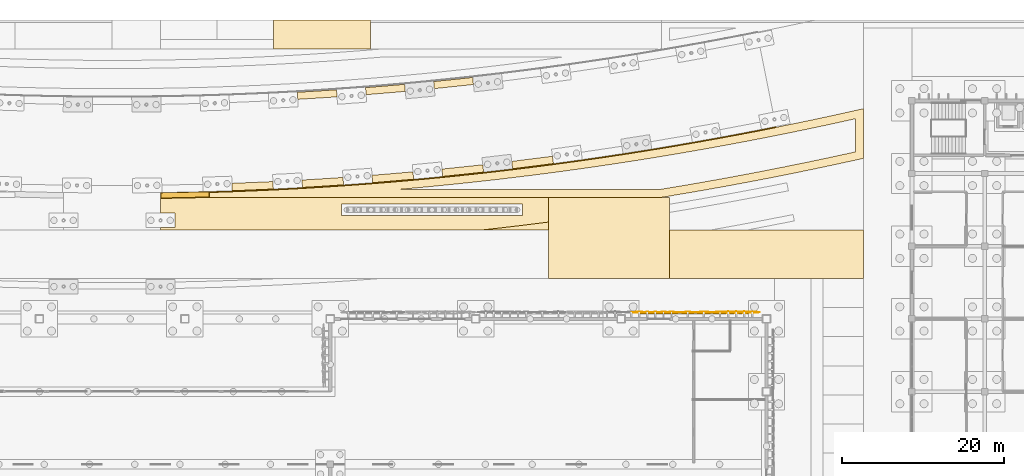
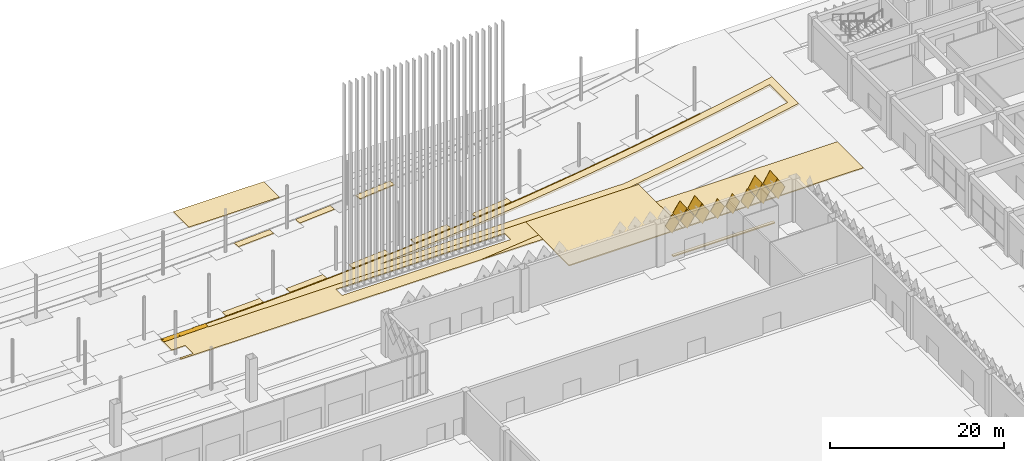
# One storey, part 175 of 198: 28 coverings.
"""IFC4 building model written with IfcOpenShell, lengths in metres."""

from ifc_helpers import new_model, si_unit, direction, frame, origin, place, context, subcontext, project, spatial, polyline, outline, extrude, material, layer, layer_set, material_profile, profile_set, type_object, element, save


model = new_model("IFC4")

# Units and contexts
model_context = context("Model", 3, precision=1e-05, world=origin(), true_north=direction((0.0, 1.0)))
body_context = subcontext(model_context, "Body", "Model", "MODEL_VIEW")
ifc_project = project(units=[si_unit("LENGTHUNIT", "METRE"), si_unit("AREAUNIT", "SQUARE_METRE"), si_unit("VOLUMEUNIT", "CUBIC_METRE"), si_unit("PLANEANGLEUNIT", "RADIAN"), si_unit("MASSUNIT", "GRAM", prefix="KILO")], contexts=[model_context])

# Site, building, storey
site_placement = place(None, origin())
site = spatial("IfcSite", under=ifc_project, at=site_placement, CompositionType="ELEMENT")
building_placement = place(site_placement, origin())
building = spatial("IfcBuilding", under=site, at=building_placement, Name="Opaline Strait Convention Centre", CompositionType="ELEMENT")
storey_placement = place(building_placement, origin())
storey = spatial("IfcBuildingStorey", under=building, at=storey_placement, Name="L00", CompositionType="ELEMENT", Elevation=0.0)

# Coverings
ifc_material_1 = material(Name="Asphalt road surfacing")
ifc_layer_1 = layer(ifc_material_1, 0.14990234375)
ifc_layer_set_1 = layer_set([ifc_layer_1], Name="Asphalt road surfacing")
covering_type_1 = type_object("IfcCoveringType", Name="Asphalt road surfacing 150", PredefinedType="FLOORING", material=ifc_layer_set_1)
covering_1_placement = place(storey_placement, frame((0.0, 0.0, -0.14990234375)))
element("IfcCovering", 1, at=covering_1_placement, inside=storey, type_object=covering_type_1, Name="Drop-off Lane East surfacing", PredefinedType="FLOORING", context=body_context, shape_type="SweptSolid", body=[
    extrude(outline(polyline([(200.0, 190.0), (200.0, 186.39990234375), (212.0, 186.39990234375), (212.0, 190.0), (200.0, 190.0)])), origin(), (0.0, 0.0, 1.0), 0.14990234375),
])
ifc_material_2 = material(Name="White ceramic-faced aluminium tile", Category="aluminium")
ifc_material_profile_1 = material_profile(ifc_material_2, outline(polyline([(0.927978515625, 0.0), (0.0, 1.39208984375), (-0.927978515625, 0.0), (0.0, -1.39208984375), (0.927978515625, 0.0)])), Name="Diamond tile 1856x2784")
ifc_profile_set_1 = profile_set([ifc_material_profile_1], Name="White ceramic-faced aluminium tile")
covering_type_2 = type_object("IfcCoveringType", Name="Diamond wall tile 1856x2784x30 pivot 1.5 deg", PredefinedType="CLADDING", material=ifc_profile_set_1)
for number, where, z_axis, x_axis, name in (
    (2, (251.25, 153.800048828125, 4.39208984375), (0.0, 0.999471633277, -0.032503142546), (-1.0, 0.0, 0.0), "Wall tile XT03 N"),
    (3, (249.25, 153.800048828125, 4.39208984375), (0.0, 0.999471633277, -0.032503142546), (-1.0, 0.0, 0.0), "Wall tile XT03 N"),
    (4, (247.25, 153.800048828125, 4.39208984375), (0.0, 0.999702690643, 0.024382992455), (-1.0, 0.0, 0.0), "Wall tile XT03 N"),
    (5, (248.25, 153.800048828125, 5.89208984375), (0.0, 0.999471633277, -0.032503142546), (-1.0, 0.0, 0.0), "Wall tile XT03 N"),
    (6, (246.25, 153.800048828125, 5.89208984375), (0.0, 0.999702690643, 0.024382992455), (-1.0, 0.0, 0.0), "Wall tile XT03 N"),
):
    element("IfcCovering", number, at=place(storey_placement, frame(where, z_axis=z_axis, x_axis=x_axis)), inside=storey, type_object=covering_type_2, Name=name, PredefinedType="CLADDING", context=body_context, shape_type="SweptSolid", body=[
        extrude(outline(polyline([(0.927978515625, 0.0), (0.0, 1.39208984375), (-0.927978515625, 0.0), (0.0, -1.39208984375), (0.927978515625, 0.0)])), origin(), (0.0, 0.0, 1.0), 0.030029296875),
    ])
ifc_material_profile_2 = material_profile(ifc_material_2, outline(polyline([(0.927978515625, 0.0), (0.0, 1.39208984375), (-0.927978515625, 0.0), (0.0, -1.39208984375), (0.927978515625, 0.0)])), Name="Diamond tile 1856x2784")
ifc_profile_set_2 = profile_set([ifc_material_profile_2], Name="White ceramic-faced aluminium tile")
covering_type_3 = type_object("IfcCoveringType", Name="Diamond wall tile 1856x2784x30 pivot 2.5 deg", PredefinedType="CLADDING", material=ifc_profile_set_2)
covering_2_placement = place(storey_placement, frame((245.25, 153.800048828125, 4.39208984375), z_axis=(0.0, 0.999174794796, 0.040616861577), x_axis=(-1.0, 0.0, 0.0)))
element("IfcCovering", 7, at=covering_2_placement, inside=storey, type_object=covering_type_3, Name="Wall tile XT05 N", PredefinedType="CLADDING", context=body_context, shape_type="SweptSolid", body=[
    extrude(outline(polyline([(0.927978515625, 0.0), (0.0, 1.39208984375), (-0.927978515625, 0.0), (0.0, -1.39208984375), (0.927978515625, 0.0)])), origin(), (0.0, 0.0, 1.0), 0.030029296875),
])
ifc_material_profile_3 = material_profile(ifc_material_2, outline(polyline([(0.927978515625, 0.0), (0.0, 1.39208984375), (-0.927978515625, 0.0), (0.0, -1.39208984375), (0.927978515625, 0.0)])), Name="Diamond tile 1856x2784")
ifc_profile_set_3 = profile_set([ifc_material_profile_3], Name="White ceramic-faced aluminium tile")
covering_type_4 = type_object("IfcCoveringType", Name="Diamond wall tile 1856x2784x30 pivot 3 deg", PredefinedType="CLADDING", material=ifc_profile_set_3)
for number, where, z_axis, x_axis, name in (
    (8, (259.25, 153.800048828125, 4.39208984375), (0.0, 0.998384516691, -0.056818631031), (-1.0, 0.0, 0.0), "Wall tile XT06 N"),
    (9, (255.25, 153.800048828125, 4.39208984375), (0.0, 0.998384516691, -0.056818631031), (-1.0, 0.0, 0.0), "Wall tile XT06 N"),
    (10, (253.25, 153.800048828125, 4.39208984375), (0.0, 0.998384516691, -0.056818631031), (-1.0, 0.0, 0.0), "Wall tile XT06 N"),
):
    element("IfcCovering", number, at=place(storey_placement, frame(where, z_axis=z_axis, x_axis=x_axis)), inside=storey, type_object=covering_type_4, Name=name, PredefinedType="CLADDING", context=body_context, shape_type="SweptSolid", body=[
        extrude(outline(polyline([(0.927978515625, 0.0), (0.0, 1.39208984375), (-0.927978515625, 0.0), (0.0, -1.39208984375), (0.927978515625, 0.0)])), origin(), (0.0, 0.0, 1.0), 0.030029296875),
    ])
ifc_material_profile_4 = material_profile(ifc_material_2, outline(polyline([(0.927978515625, 0.0), (0.0, 1.39208984375), (-0.927978515625, 0.0), (0.0, -1.39208984375), (0.927978515625, 0.0)])), Name="Diamond tile 1856x2784")
ifc_profile_set_4 = profile_set([ifc_material_profile_4], Name="White ceramic-faced aluminium tile")
covering_type_5 = type_object("IfcCoveringType", Name="Diamond wall tile 1856x2784x30 pivot 3.5 deg", PredefinedType="CLADDING", material=ifc_profile_set_4)
for number, where, z_axis, x_axis, name in (
    (11, (257.25, 153.800048828125, 4.39208984375), (0.0, 0.99785694905, -0.065433242561), (-1.0, 0.0, 0.0), "Wall tile XT07 N"),
    (12, (258.25, 153.800048828125, 5.89208984375), (0.0, 0.99785694905, -0.065433242561), (-1.0, 0.0, 0.0), "Wall tile XT07 N"),
    (13, (256.25, 153.800048828125, 5.89208984375), (0.0, 0.99785694905, -0.065433242561), (-1.0, 0.0, 0.0), "Wall tile XT07 N"),
):
    element("IfcCovering", number, at=place(storey_placement, frame(where, z_axis=z_axis, x_axis=x_axis)), inside=storey, type_object=covering_type_5, Name=name, PredefinedType="CLADDING", context=body_context, shape_type="SweptSolid", body=[
        extrude(outline(polyline([(0.927978515625, 0.0), (0.0, 1.39208984375), (-0.927978515625, 0.0), (0.0, -1.39208984375), (0.927978515625, 0.0)])), origin(), (0.0, 0.0, 1.0), 0.02978515625),
    ])
ifc_material_3 = material(Name="Concrete C30 red oxide", Category="concrete")
ifc_layer_2 = layer(ifc_material_3, 0.14990234375)
ifc_layer_set_2 = layer_set([ifc_layer_2], Name="Concrete C30 red oxide")
covering_type_6 = type_object("IfcCoveringType", Name="Fire lane concrete paving 150 C30", PredefinedType="FLOORING", material=ifc_layer_set_2)
covering_3_placement = place(storey_placement, frame((0.0, 0.0, -0.14990234375)))
element("IfcCovering", 14, at=covering_3_placement, inside=storey, type_object=covering_type_6, Name="External Fire Appliance Lane Exhibition North East surfacing", PredefinedType="FLOORING", context=body_context, shape_type="SweptSolid", body=[
    extrude(outline(polyline([(273.0, 164.0), (249.0, 164.0), (249.0, 158.0), (273.0, 158.0), (273.0, 164.0)])), origin(), (0.0, 0.0, 1.0), 0.14990234375),
])
covering_4_placement = place(storey_placement, frame((0.0, 0.0, -0.14990234375)))
element("IfcCovering", 15, at=covering_4_placement, inside=storey, type_object=covering_type_6, Name="Fire Rescue Pad Exhibition North 2 surfacing", PredefinedType="FLOORING", context=body_context, shape_type="SweptSolid", body=[
    extrude(outline(polyline([(234.0, 168.0), (234.0, 158.0), (249.0, 158.0), (249.0, 168.0), (234.0, 168.0)])), origin(), (0.0, 0.0, 1.0), 0.14990234375),
])
ifc_material_4 = material(Name="Granite paving slabs on mortar bed", Category="masonry")
ifc_layer_3 = layer(ifc_material_4, 0.14990234375)
ifc_layer_set_3 = layer_set([ifc_layer_3], Name="Granite paving slabs on mortar bed")
covering_type_7 = type_object("IfcCoveringType", Name="Granite paving 150", PredefinedType="FLOORING", material=ifc_layer_set_3)
covering_5_placement = place(storey_placement, frame((0.0, 0.0, -0.14990234375)))
element("IfcCovering", 16, at=covering_5_placement, inside=storey, type_object=covering_type_7, Name="Forecourt surfacing", PredefinedType="FLOORING", context=body_context, shape_type="SweptSolid", body=[
    extrude(outline(polyline([(232.205810546875, 164.760498046875), (232.269287109375, 164.7685546875), (234.0, 164.989013671875), (234.0, 168.0), (192.0, 168.0), (192.0, 168.07568359375), (190.306396484375, 168.029052734375), (190.2734375, 168.0283203125), (188.24853515625, 167.982666015625), (188.215576171875, 167.98193359375), (186.1904296875, 167.946533203125), (186.157470703125, 167.946044921875), (186.0, 167.944091796875), (186.0, 166.10498046875), (187.804931640625, 166.10498046875), (187.804931640625, 164.294921875), (186.0, 164.294921875), (186.0, 164.0), (225.70947265625, 164.0), (225.939453125, 164.024658203125), (226.00341796875, 164.03173828125), (228.0283203125, 164.259521484375), (228.092041015625, 164.266845703125), (230.1171875, 164.5048828125), (230.1806640625, 164.512451171875), (232.205810546875, 164.760498046875)]), holes=[polyline([(208.4150390625, 167.205078125), (230.784912109375, 167.205078125), (230.784912109375, 165.794921875), (208.4150390625, 165.794921875), (208.4150390625, 167.205078125)])]), origin(), (0.0, 0.0, 1.0), 0.14990234375),
])
covering_6_placement = place(storey_placement, frame((0.0, 0.0, -0.14990234375)))
element("IfcCovering", 17, at=covering_6_placement, inside=storey, type_object=covering_type_7, Name="Forecourt surfacing", PredefinedType="FLOORING", context=body_context, shape_type="SweptSolid", body=[
    extrude(outline(polyline([(199.956298828125, 169.085693359375), (199.907958984375, 169.99853515625), (194.83447265625, 169.783447265625), (194.86328125, 168.86962890625), (196.421142578125, 168.927978515625), (196.450439453125, 168.92919921875), (198.4755859375, 169.015380859375), (198.5048828125, 169.0166015625), (199.956298828125, 169.085693359375)])), origin(), (0.0, 0.0, 1.0), 0.14990234375),
])
covering_7_placement = place(storey_placement, frame((0.0, 0.0, -0.14990234375)))
element("IfcCovering", 18, at=covering_7_placement, inside=storey, type_object=covering_type_7, Name="Forecourt surfacing", PredefinedType="FLOORING", context=body_context, shape_type="SweptSolid", body=[
    extrude(outline(polyline([(208.64794921875, 169.598876953125), (208.580322265625, 170.51123046875), (203.512939453125, 170.189208984375), (203.561279296875, 169.27685546875), (204.638671875, 169.338623046875), (204.66796875, 169.340576171875), (206.693115234375, 169.467041015625), (206.722412109375, 169.468994140625), (208.64794921875, 169.598876953125)])), origin(), (0.0, 0.0, 1.0), 0.14990234375),
])
covering_8_placement = place(storey_placement, frame((0.0, 0.0, -0.14990234375)))
element("IfcCovering", 19, at=covering_8_placement, inside=storey, type_object=covering_type_7, Name="Forecourt surfacing", PredefinedType="FLOORING", context=body_context, shape_type="SweptSolid", body=[
    extrude(outline(polyline([(217.326416015625, 170.296142578125), (217.23974609375, 171.206298828125), (212.1806640625, 170.778076171875), (212.248046875, 169.866455078125), (212.85595703125, 169.91357421875), (212.885009765625, 169.916015625), (214.91015625, 170.0830078125), (214.939208984375, 170.08544921875), (216.96435546875, 170.2626953125), (216.993408203125, 170.265380859375), (217.326416015625, 170.296142578125)])), origin(), (0.0, 0.0, 1.0), 0.14990234375),
])
covering_9_placement = place(storey_placement, frame((0.0, 0.0, -0.14990234375)))
element("IfcCovering", 20, at=covering_9_placement, inside=storey, type_object=covering_type_7, Name="Forecourt surfacing", PredefinedType="FLOORING", context=body_context, shape_type="SweptSolid", body=[
    extrude(outline(polyline([(225.987548828125, 171.1748046875), (225.882080078125, 172.08251953125), (220.83349609375, 171.54833984375), (220.92041015625, 170.637939453125), (221.072509765625, 170.65283203125), (221.1015625, 170.65576171875), (223.126708984375, 170.86328125), (223.155517578125, 170.866455078125), (225.1806640625, 171.083984375), (225.209716796875, 171.087158203125), (225.987548828125, 171.1748046875)])), origin(), (0.0, 0.0, 1.0), 0.14990234375),
])
covering_10_placement = place(storey_placement, frame((0.0, 0.0, -0.14990234375)))
element("IfcCovering", 21, at=covering_10_placement, inside=storey, type_object=covering_type_7, Name="Forecourt surfacing", PredefinedType="FLOORING", context=body_context, shape_type="SweptSolid", body=[
    extrude(outline(polyline([(234.6279296875, 172.23291015625), (234.503662109375, 173.1376953125), (229.468017578125, 172.499267578125), (229.573486328125, 171.59130859375), (231.34228515625, 171.807861328125), (231.37109375, 171.811279296875), (233.396240234375, 172.069580078125), (233.425048828125, 172.073486328125), (234.6279296875, 172.23291015625)])), origin(), (0.0, 0.0, 1.0), 0.14990234375),
])
covering_11_placement = place(storey_placement, frame((0.0, 0.0, -0.14990234375)))
element("IfcCovering", 22, at=covering_11_placement, inside=storey, type_object=covering_type_7, Name="Forecourt surfacing", PredefinedType="FLOORING", context=body_context, shape_type="SweptSolid", body=[
    extrude(outline(polyline([(202.937255859375, 181.06005859375), (202.984130859375, 180.17529296875), (207.84130859375, 180.48388671875), (207.77587890625, 181.366943359375), (205.9423828125, 181.2431640625), (203.946533203125, 181.118408203125), (202.865234375, 181.05615234375), (202.937255859375, 181.06005859375)])), origin(), (0.0, 0.0, 1.0), 0.14990234375),
])
covering_12_placement = place(storey_placement, frame((0.0, 0.0, -0.14990234375)))
element("IfcCovering", 23, at=covering_12_placement, inside=storey, type_object=covering_type_7, Name="Forecourt surfacing", PredefinedType="FLOORING", context=body_context, shape_type="SweptSolid", body=[
    extrude(outline(polyline([(211.376220703125, 181.63427734375), (211.441650390625, 180.75048828125), (216.291748046875, 181.161376953125), (216.2080078125, 182.04296875), (215.921142578125, 182.0166015625), (213.92529296875, 181.841796875), (211.929443359375, 181.67724609375), (211.376220703125, 181.63427734375)])), origin(), (0.0, 0.0, 1.0), 0.14990234375),
])
covering_13_placement = place(storey_placement, frame((0.0, 0.0, -0.14990234375)))
element("IfcCovering", 24, at=covering_13_placement, inside=storey, type_object=covering_type_7, Name="Forecourt surfacing", PredefinedType="FLOORING", context=body_context, shape_type="SweptSolid", body=[
    extrude(outline(polyline([(219.8017578125, 182.385009765625), (219.885498046875, 181.50341796875), (224.726806640625, 182.015380859375), (224.62451171875, 182.8955078125), (224.69482421875, 182.90380859375), (223.90478515625, 182.81494140625), (221.908935546875, 182.600341796875), (219.912841796875, 182.395751953125), (219.8017578125, 182.385009765625)])), origin(), (0.0, 0.0, 1.0), 0.14990234375),
])
ifc_material_5 = material(Name="Limestone paving slabs on mortar bed", Category="masonry")
ifc_layer_4 = layer(ifc_material_5, 0.14990234375)
ifc_layer_set_4 = layer_set([ifc_layer_4], Name="Limestone paving slabs on mortar bed")
covering_type_8 = type_object("IfcCoveringType", Name="Limestone court paving 150", PredefinedType="FLOORING", material=ifc_layer_set_4)
covering_14_placement = place(storey_placement, frame((0.0, 0.0, -0.14990234375)))
element("IfcCovering", 25, at=covering_14_placement, inside=storey, type_object=covering_type_8, Name="Forecourt paving band 1 surfacing", PredefinedType="FLOORING", context=body_context, shape_type="SweptSolid", body=[
    extrude(outline(polyline([(228.0283203125, 164.259521484375), (226.00341796875, 164.03173828125), (225.939453125, 164.024658203125), (225.70947265625, 164.0), (234.0, 164.0), (234.0, 164.989013671875), (232.269287109375, 164.7685546875), (232.205810546875, 164.760498046875), (230.1806640625, 164.512451171875), (230.1171875, 164.5048828125), (228.092041015625, 164.266845703125), (228.0283203125, 164.259521484375)])), origin(), (0.0, 0.0, 1.0), 0.14990234375),
])
ifc_material_6 = material(Name="Permeable concrete block paving C30", Category="concrete")
ifc_layer_5 = layer(ifc_material_6, 0.14990234375)
ifc_layer_set_5 = layer_set([ifc_layer_5], Name="Permeable concrete block paving C30")
covering_type_9 = type_object("IfcCoveringType", Name="Permeable block paving 150", PredefinedType="FLOORING", material=ifc_layer_set_5)
covering_15_placement = place(storey_placement, frame((0.0, 0.0, -0.14990234375)))
element("IfcCovering", 26, at=covering_15_placement, inside=storey, type_object=covering_type_9, Name="Arcade edge strip surfacing", PredefinedType="FLOORING", context=body_context, shape_type="SweptSolid", body=[
    extrude(outline(polyline([(188.24853515625, 167.982666015625), (190.2734375, 168.0283203125), (190.306396484375, 168.029052734375), (192.0, 168.07568359375), (192.0, 168.676513671875), (193.177734375, 168.711181640625), (193.207275390625, 168.712158203125), (195.207275390625, 168.781494140625), (195.23681640625, 168.782470703125), (197.23681640625, 168.861572265625), (197.266357421875, 168.86279296875), (199.266357421875, 168.95166015625), (199.2958984375, 168.952880859375), (201.2958984375, 169.0517578125), (201.325439453125, 169.05322265625), (203.325439453125, 169.161865234375), (203.35498046875, 169.16357421875), (205.35498046875, 169.281982421875), (205.384521484375, 169.283935546875), (207.384521484375, 169.412353515625), (207.413818359375, 169.414306640625), (209.413818359375, 169.552490234375), (209.443115234375, 169.5546875), (211.443115234375, 169.702880859375), (211.47265625, 169.705078125), (213.47265625, 169.863037109375), (213.501953125, 169.865478515625), (215.501953125, 170.033447265625), (215.53125, 170.035888671875), (217.53125, 170.213623046875), (217.560546875, 170.21630859375), (219.560546875, 170.404052734375), (219.589599609375, 170.40673828125), (221.589599609375, 170.6044921875), (221.618896484375, 170.607421875), (223.618896484375, 170.814697265625), (223.64794921875, 170.81787109375), (225.64794921875, 171.03515625), (225.677001953125, 171.038330078125), (227.677001953125, 171.265380859375), (227.706298828125, 171.268798828125), (229.706298828125, 171.505859375), (229.735107421875, 171.509521484375), (231.735107421875, 171.75634765625), (231.76416015625, 171.760009765625), (233.76416015625, 172.016845703125), (233.79296875, 172.0205078125), (235.79296875, 172.287109375), (235.82177734375, 172.291015625), (237.82177734375, 172.567626953125), (237.8505859375, 172.57177734375), (239.8505859375, 172.858154296875), (239.87939453125, 172.8623046875), (241.87939453125, 173.15869140625), (241.907958984375, 173.162841796875), (243.907958984375, 173.468994140625), (243.9365234375, 173.473388671875), (245.9365234375, 173.78955078125), (245.965087890625, 173.794189453125), (247.965087890625, 174.1201171875), (247.993408203125, 174.124755859375), (249.993408203125, 174.460693359375), (250.02197265625, 174.46533203125), (252.02197265625, 174.81103515625), (252.05029296875, 174.816162109375), (254.05029296875, 175.171630859375), (254.078369140625, 175.1767578125), (256.078369140625, 175.542236328125), (256.106689453125, 175.54736328125), (258.106689453125, 175.922607421875), (258.134765625, 175.927978515625), (260.134765625, 176.313232421875), (260.16259765625, 176.318603515625), (262.16259765625, 176.713623046875), (262.14404296875, 176.806884765625), (260.38818359375, 176.455810546875), (260.386474609375, 176.46484375), (260.1181640625, 176.411865234375), (260.09033203125, 176.406494140625), (258.065185546875, 176.0166015625), (258.037353515625, 176.01123046875), (256.01220703125, 175.631591796875), (255.984375, 175.62646484375), (255.384033203125, 175.516845703125), (255.3857421875, 175.50732421875), (251.83251953125, 174.87060546875), (251.830810546875, 174.87939453125), (249.852783203125, 174.5380859375), (249.82470703125, 174.533203125), (247.7998046875, 174.194091796875), (247.771240234375, 174.189453125), (246.808837890625, 174.033203125), (246.810546875, 174.023193359375), (243.244873046875, 173.458740234375), (243.243408203125, 173.46826171875), (241.639404296875, 173.2236328125), (241.61083984375, 173.219482421875), (239.5859375, 172.920654296875), (239.557373046875, 172.91650390625), (238.204345703125, 172.723876953125), (238.20556640625, 172.7138671875), (234.629150390625, 172.222900390625), (234.6279296875, 172.23291015625), (233.425048828125, 172.073486328125), (233.396240234375, 172.069580078125), (231.37109375, 171.811279296875), (231.34228515625, 171.807861328125), (229.573486328125, 171.59130859375), (229.57470703125, 171.581787109375), (225.98876953125, 171.164794921875), (225.987548828125, 171.1748046875), (225.209716796875, 171.087158203125), (225.1806640625, 171.083984375), (223.155517578125, 170.866455078125), (223.126708984375, 170.86328125), (221.1015625, 170.65576171875), (221.072509765625, 170.65283203125), (220.92041015625, 170.637939453125), (220.921142578125, 170.62890625), (217.327392578125, 170.28662109375), (217.326416015625, 170.296142578125), (216.993408203125, 170.265380859375), (216.96435546875, 170.2626953125), (214.939208984375, 170.08544921875), (214.91015625, 170.0830078125), (212.885009765625, 169.916015625), (212.85595703125, 169.91357421875), (212.248046875, 169.866455078125), (212.248779296875, 169.856689453125), (208.648681640625, 169.589599609375), (208.64794921875, 169.598876953125), (206.722412109375, 169.468994140625), (206.693115234375, 169.467041015625), (204.66796875, 169.340576171875), (204.638671875, 169.338623046875), (203.561279296875, 169.27685546875), (203.561767578125, 169.2666015625), (199.956787109375, 169.07568359375), (199.956298828125, 169.085693359375), (198.5048828125, 169.0166015625), (198.4755859375, 169.015380859375), (196.450439453125, 168.92919921875), (196.421142578125, 168.927978515625), (194.86328125, 168.86962890625), (194.86376953125, 168.85986328125), (191.255615234375, 168.7451171875), (191.255126953125, 168.75537109375), (190.287109375, 168.728759765625), (190.2578125, 168.72802734375), (188.232666015625, 168.6826171875), (188.203125, 168.681884765625), (186.17822265625, 168.646484375), (186.15869140625, 168.646240234375), (186.15869140625, 168.63720703125), (186.0, 168.635498046875), (186.0, 167.944091796875), (186.157470703125, 167.946044921875), (186.1904296875, 167.946533203125), (188.215576171875, 167.98193359375), (188.24853515625, 167.982666015625)])), origin(), (0.0, 0.0, 1.0), 0.14990234375),
])
ifc_material_7 = material(Name="Planting soil and turf")
ifc_layer_6 = layer(ifc_material_7, 0.300048828125)
ifc_layer_set_6 = layer_set([ifc_layer_6], Name="Planting soil and turf")
covering_type_10 = type_object("IfcCoveringType", Name="Planted bed 300", PredefinedType="USERDEFINED", material=ifc_layer_set_6)
covering_16_placement = place(storey_placement, frame((0.0, 0.0, -0.300048828125)))
element("IfcCovering", 27, at=covering_16_placement, inside=storey, type_object=covering_type_10, Name="Strait Garden East surfacing", ObjectType="LANDSCAPE", PredefinedType="USERDEFINED", context=body_context, shape_type="SweptSolid", body=[
    extrude(outline(polyline([(195.23681640625, 168.782470703125), (195.207275390625, 168.781494140625), (193.207275390625, 168.712158203125), (193.177734375, 168.711181640625), (192.0, 168.676513671875), (192.0, 168.0), (234.0, 168.0), (247.7138671875, 168.0), (248.93017578125, 168.1982421875), (248.987060546875, 168.20751953125), (250.987060546875, 168.54345703125), (251.043701171875, 168.552978515625), (253.043701171875, 168.898681640625), (253.100341796875, 168.90869140625), (255.100341796875, 169.264404296875), (255.156982421875, 169.2744140625), (257.156982421875, 169.639892578125), (257.213134765625, 169.650390625), (259.213134765625, 170.025634765625), (259.269287109375, 170.036376953125), (261.269287109375, 170.42138671875), (261.325439453125, 170.432373046875), (263.325439453125, 170.827392578125), (263.38134765625, 170.838623046875), (265.38134765625, 171.24365234375), (265.43701171875, 171.2548828125), (267.43701171875, 171.669921875), (267.49267578125, 171.681396484375), (269.49267578125, 172.106201171875), (269.548095703125, 172.1181640625), (271.548095703125, 172.552490234375), (271.603271484375, 172.564697265625), (273.0, 172.875244140625), (273.0, 179.02490234375), (272.3291015625, 178.87255859375), (272.301513671875, 178.8662109375), (270.301513671875, 178.421875), (270.27392578125, 178.415771484375), (268.27392578125, 177.981201171875), (268.246337890625, 177.975341796875), (266.246337890625, 177.550537109375), (266.218505859375, 177.544921875), (264.218505859375, 177.1298828125), (264.190673828125, 177.124267578125), (262.190673828125, 176.71923828125), (262.16259765625, 176.713623046875), (260.16259765625, 176.318603515625), (260.134765625, 176.313232421875), (258.134765625, 175.927978515625), (258.106689453125, 175.922607421875), (256.106689453125, 175.54736328125), (256.078369140625, 175.542236328125), (254.078369140625, 175.1767578125), (254.05029296875, 175.171630859375), (252.05029296875, 174.816162109375), (252.02197265625, 174.81103515625), (250.02197265625, 174.46533203125), (249.993408203125, 174.460693359375), (247.993408203125, 174.124755859375), (247.965087890625, 174.1201171875), (245.965087890625, 173.794189453125), (245.9365234375, 173.78955078125), (243.9365234375, 173.473388671875), (243.907958984375, 173.468994140625), (241.907958984375, 173.162841796875), (241.87939453125, 173.15869140625), (239.87939453125, 172.8623046875), (239.8505859375, 172.858154296875), (237.8505859375, 172.57177734375), (237.82177734375, 172.567626953125), (235.82177734375, 172.291015625), (235.79296875, 172.287109375), (233.79296875, 172.0205078125), (233.76416015625, 172.016845703125), (231.76416015625, 171.760009765625), (231.735107421875, 171.75634765625), (229.735107421875, 171.509521484375), (229.706298828125, 171.505859375), (227.706298828125, 171.268798828125), (227.677001953125, 171.265380859375), (225.677001953125, 171.038330078125), (225.64794921875, 171.03515625), (223.64794921875, 170.81787109375), (223.618896484375, 170.814697265625), (221.618896484375, 170.607421875), (221.589599609375, 170.6044921875), (219.589599609375, 170.40673828125), (219.560546875, 170.404052734375), (217.560546875, 170.21630859375), (217.53125, 170.213623046875), (215.53125, 170.035888671875), (215.501953125, 170.033447265625), (213.501953125, 169.865478515625), (213.47265625, 169.863037109375), (211.47265625, 169.705078125), (211.443115234375, 169.702880859375), (209.443115234375, 169.5546875), (209.413818359375, 169.552490234375), (207.413818359375, 169.414306640625), (207.384521484375, 169.412353515625), (205.384521484375, 169.283935546875), (205.35498046875, 169.281982421875), (203.35498046875, 169.16357421875), (203.325439453125, 169.161865234375), (201.325439453125, 169.05322265625), (201.2958984375, 169.0517578125), (199.2958984375, 168.952880859375), (199.266357421875, 168.95166015625), (197.266357421875, 168.86279296875), (197.23681640625, 168.861572265625), (195.23681640625, 168.782470703125)]), holes=[polyline([(248.76806640625, 169.18505859375), (247.6328125, 169.0), (215.146240234375, 169.0), (215.585693359375, 169.036865234375), (215.587890625, 169.037109375), (215.6171875, 169.03955078125), (215.619873046875, 169.039794921875), (217.619873046875, 169.217529296875), (217.622314453125, 169.2177734375), (217.651611328125, 169.220458984375), (217.65380859375, 169.220703125), (219.65380859375, 169.408447265625), (219.656494140625, 169.40869140625), (219.685546875, 169.411376953125), (219.68798828125, 169.41162109375), (221.68798828125, 169.609130859375), (221.6904296875, 169.609375), (221.719482421875, 169.6123046875), (221.72216796875, 169.612548828125), (223.72216796875, 169.820068359375), (223.724609375, 169.8203125), (223.753662109375, 169.823486328125), (223.756103515625, 169.82373046875), (225.756103515625, 170.041015625), (225.758544921875, 170.041259765625), (225.78759765625, 170.04443359375), (225.7900390625, 170.044677734375), (227.7900390625, 170.27197265625), (227.79248046875, 170.272216796875), (227.8212890625, 170.275390625), (227.823974609375, 170.27587890625), (229.823974609375, 170.5126953125), (229.826416015625, 170.51318359375), (229.855224609375, 170.5166015625), (229.857666015625, 170.516845703125), (231.857666015625, 170.763916015625), (231.860107421875, 170.76416015625), (231.888916015625, 170.767822265625), (231.891357421875, 170.76806640625), (233.891357421875, 171.02490234375), (233.893798828125, 171.025146484375), (233.922607421875, 171.029052734375), (233.925048828125, 171.029296875), (235.925048828125, 171.2958984375), (235.927490234375, 171.29638671875), (235.956298828125, 171.30029296875), (235.958740234375, 171.300537109375), (237.958740234375, 171.5771484375), (237.961181640625, 171.577392578125), (237.989990234375, 171.58154296875), (237.9921875, 171.581787109375), (239.9921875, 171.8681640625), (239.99462890625, 171.86865234375), (240.0234375, 171.872802734375), (240.02587890625, 171.873046875), (242.02587890625, 172.16943359375), (242.0283203125, 172.169921875), (242.056884765625, 172.174072265625), (242.059326171875, 172.17431640625), (244.059326171875, 172.480712890625), (244.0615234375, 172.48095703125), (244.090087890625, 172.4853515625), (244.092529296875, 172.48583984375), (246.092529296875, 172.8017578125), (246.094970703125, 172.80224609375), (246.12353515625, 172.806884765625), (246.1259765625, 172.80712890625), (248.1259765625, 173.133056640625), (248.12841796875, 173.133544921875), (248.15673828125, 173.13818359375), (248.1591796875, 173.138671875), (250.1591796875, 173.474365234375), (250.16162109375, 173.474853515625), (250.189697265625, 173.4794921875), (250.192138671875, 173.47998046875), (252.192138671875, 173.82568359375), (252.194580078125, 173.826171875), (252.222900390625, 173.8310546875), (252.22509765625, 173.83154296875), (254.22509765625, 174.18701171875), (254.2275390625, 174.1875), (254.255859375, 174.192626953125), (254.25830078125, 174.193115234375), (256.25830078125, 174.558349609375), (256.260498046875, 174.558837890625), (256.288818359375, 174.564208984375), (256.291015625, 174.564453125), (258.291015625, 174.939697265625), (258.29345703125, 174.940185546875), (258.321533203125, 174.945556640625), (258.32373046875, 174.946044921875), (260.32373046875, 175.331298828125), (260.326171875, 175.331787109375), (260.354248046875, 175.337158203125), (260.3564453125, 175.337646484375), (262.3564453125, 175.732666015625), (262.35888671875, 175.733154296875), (262.38671875, 175.73876953125), (262.38916015625, 175.7392578125), (264.38916015625, 176.144287109375), (264.391357421875, 176.14453125), (264.419189453125, 176.150390625), (264.421630859375, 176.15087890625), (266.421630859375, 176.565673828125), (266.423828125, 176.566162109375), (266.45166015625, 176.572021484375), (266.4541015625, 176.572509765625), (268.4541015625, 176.9970703125), (268.456298828125, 176.99755859375), (268.48388671875, 177.003662109375), (268.486328125, 177.004150390625), (270.486328125, 177.438720703125), (270.488525390625, 177.439208984375), (270.51611328125, 177.4453125), (270.5185546875, 177.44580078125), (272.0, 177.77490234375), (272.0, 173.67724609375), (271.387451171875, 173.541259765625), (271.33447265625, 173.529541015625), (269.3369140625, 173.095458984375), (269.28369140625, 173.083984375), (267.285888671875, 172.659912109375), (267.23291015625, 172.648681640625), (265.235107421875, 172.234375), (265.181640625, 172.223388671875), (263.18408203125, 171.819091796875), (263.130615234375, 171.808349609375), (261.1328125, 171.413818359375), (261.0791015625, 171.4033203125), (259.08154296875, 171.0185546875), (259.027587890625, 171.00830078125), (257.030029296875, 170.63330078125), (256.97607421875, 170.623291015625), (254.978271484375, 170.25830078125), (254.92431640625, 170.24853515625), (252.926513671875, 169.8935546875), (252.872314453125, 169.884033203125), (250.87451171875, 169.538818359375), (250.8203125, 169.529296875), (248.822509765625, 169.194091796875), (248.76806640625, 169.18505859375)])]), origin(), (0.0, 0.0, 1.0), 0.300048828125),
])
ifc_material_8 = material(Name="Concrete C30 exposed aggregate", Category="concrete")
ifc_layer_7 = layer(ifc_material_8, 0.14990234375)
ifc_layer_set_7 = layer_set([ifc_layer_7], Name="Concrete C30 exposed aggregate")
covering_type_11 = type_object("IfcCoveringType", Name="Site paving 150", PredefinedType="FLOORING", material=ifc_layer_set_7)
covering_17_placement = place(storey_placement, frame((0.0, 0.0, -0.14990234375)))
element("IfcCovering", 28, at=covering_17_placement, inside=storey, type_object=covering_type_11, Name="Site paving surfacing", PredefinedType="FLOORING", context=body_context, shape_type="SweptSolid", body=[
    extrude(outline(polyline([(258.7451171875, 153.60498046875), (258.7451171875, 154.0), (245.2548828125, 154.0), (245.2548828125, 153.60498046875), (258.7451171875, 153.60498046875)])), origin(), (0.0, 0.0, 1.0), 0.14990234375),
])

save(model, "model.ifc")
